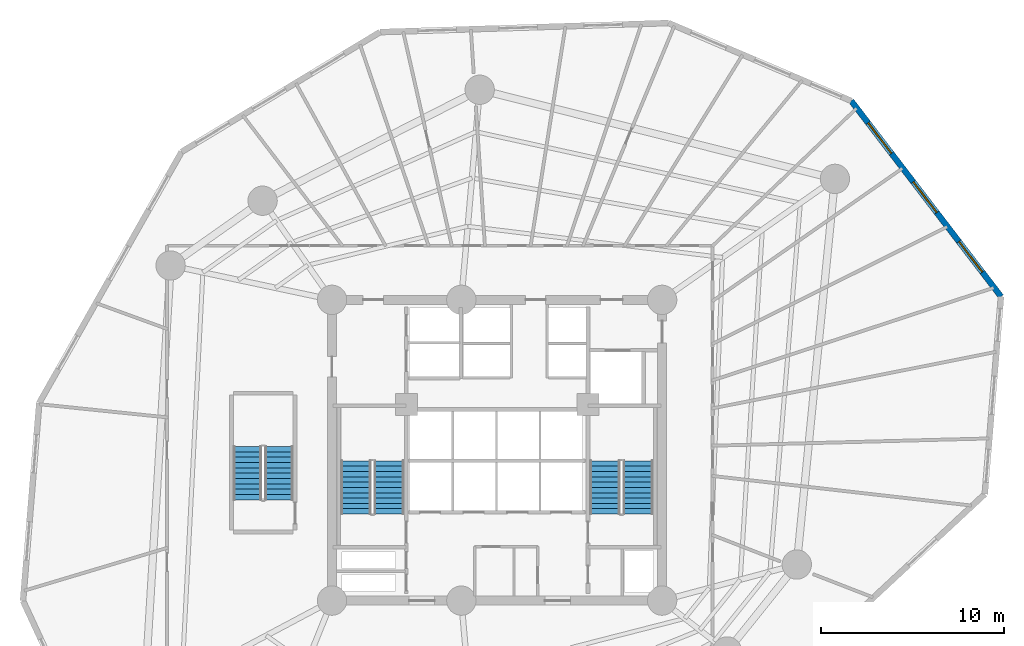
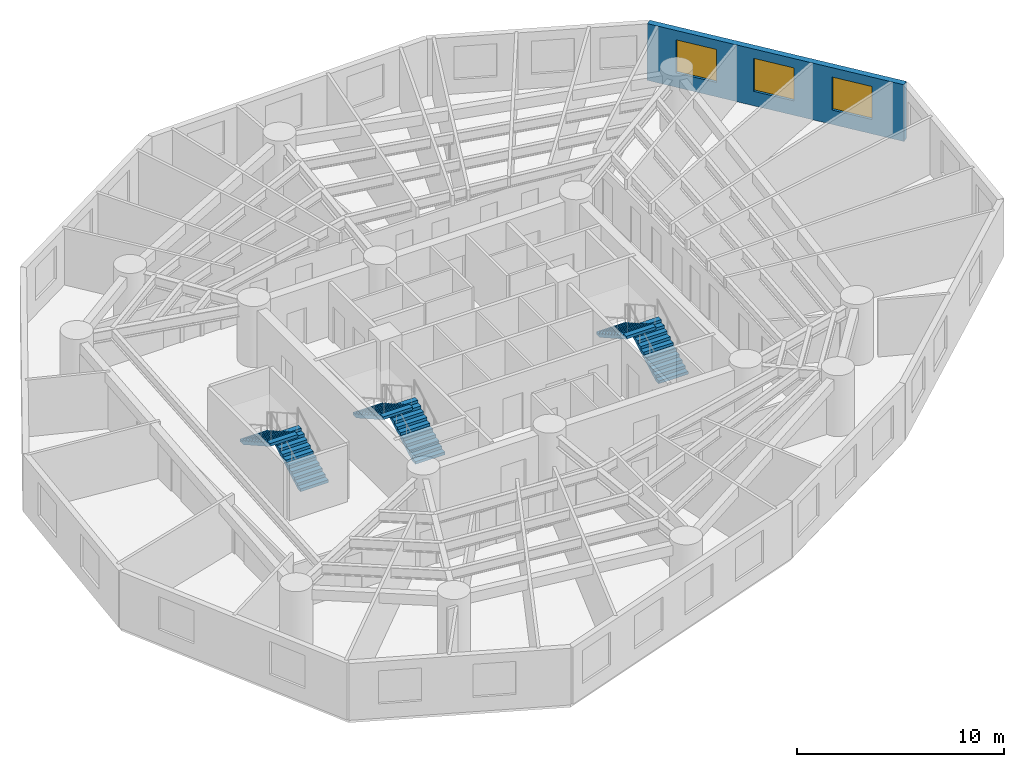
# One storey, part 7 of 8: 6 stair flights, 3 windows, 1 wall, 3 openings, 3 elements without a shape of their own.
"""IFC4 building model written with IfcOpenShell, lengths in metres."""

from ifc_helpers import new_model, si_unit, direction, frame, frame_2d, origin, origin_with_axes, place, context, subcontext, project, spatial, polyline, rectangle, outline, extrude, source, transform, mapped, material, layer, layer_set, type_object, element, fill, aggregate, save


model = new_model("IFC4")

# Units and contexts
model_context = context("Model", 3, precision=1e-05, world=origin(), true_north=direction((0.0, 1.0)))
body_context = subcontext(model_context, "Body", "Model", "MODEL_VIEW")
ifc_project = project(units=[si_unit("LENGTHUNIT", "METRE"), si_unit("AREAUNIT", "SQUARE_METRE"), si_unit("VOLUMEUNIT", "CUBIC_METRE"), si_unit("PLANEANGLEUNIT", "RADIAN"), si_unit("MASSUNIT", "GRAM", prefix="KILO")], contexts=[model_context])

# Site, building, storey
site_placement = place(None, origin())
site = spatial("IfcSite", under=ifc_project, at=site_placement, CompositionType="ELEMENT")
building_placement = place(site_placement, origin())
building = spatial("IfcBuilding", under=site, at=building_placement, Name="Karkom Vertical University and Central Library", CompositionType="ELEMENT")
storey_placement = place(building_placement, frame((0.0, 0.0, 33.699951171875)))
storey = spatial("IfcBuildingStorey", under=building, at=storey_placement, Name="L08", CompositionType="ELEMENT", Elevation=33.699951171875)

# Wall, openings, windows
ifc_material_1 = material(Name="Brick-faced precast concrete C45/55", Category="masonry")
ifc_layer = layer(ifc_material_1, 0.320068359375)
ifc_layer_set = layer_set([ifc_layer], Name="Brick-faced precast concrete C45/55")
wall_type = type_object("IfcWallType", Name="ENV-WL-BRK-320", PredefinedType="SOLIDWALL", material=ifc_layer_set)
wall_placement = place(storey_placement, frame((55.97998046875, 34.878662109375, 0.0), z_axis=(0.0, 0.0, 1.0), x_axis=(-0.607853082848, 0.794049513363, 0.0)))
wall = element("IfcWall", 1, at=wall_placement, inside=storey, type_object=wall_type, Name="Level 08 Brick-Faced Precast Facade Wall 10", PredefinedType="SOLIDWALL", context=body_context, shape_type="SweptSolid", body=[
    extrude(rectangle(XDim=13.445068359375, YDim=0.320068359375, at=frame_2d((6.72265625, 0.0))), origin(), (0.0, 0.0, 1.0), 3.35009765625),
])
opening_1_placement = place(wall_placement, frame((1.6787109375, 0.0, 0.85009765625)))
opening_1 = element("IfcOpeningElement", 2, at=opening_1_placement, cuts=wall, Name="Opening WN-03", PredefinedType="OPENING", context=body_context, shape_type="SweptSolid", body=[
    extrude(rectangle(XDim=2.10009765625, YDim=1.949951171875, at=frame_2d((1.050048828125, 0.97509765625))), frame((0.0, 0.169921875, 0.0), z_axis=(0.0, -1.0, 0.0), x_axis=(1.0, 0.0, 0.0)), (0.0, 0.0, 1.0), 0.340087890625),
])
opening_2_placement = place(wall_placement, frame((5.77197265625, 0.0, 0.85009765625)))
opening_2 = element("IfcOpeningElement", 3, at=opening_2_placement, cuts=wall, Name="Opening WN-03", PredefinedType="OPENING", context=body_context, shape_type="SweptSolid", body=[
    extrude(rectangle(XDim=2.10009765625, YDim=1.949951171875, at=frame_2d((1.050048828125, 0.97509765625))), frame((0.0, 0.169921875, 0.0), z_axis=(0.0, -1.0, 0.0), x_axis=(1.0, 0.0, 0.0)), (0.0, 0.0, 1.0), 0.340087890625),
])
opening_3_placement = place(wall_placement, frame((9.82958984375, 0.0, 0.85009765625)))
opening_3 = element("IfcOpeningElement", 4, at=opening_3_placement, cuts=wall, Name="Opening WN-03", PredefinedType="OPENING", context=body_context, shape_type="SweptSolid", body=[
    extrude(rectangle(XDim=2.10009765625, YDim=1.949951171875, at=frame_2d((1.050048828125, 0.97509765625))), frame((0.0, 0.169921875, 0.0), z_axis=(0.0, -1.0, 0.0), x_axis=(1.0, 0.0, 0.0)), (0.0, 0.0, 1.0), 0.340087890625),
])
ifc_material_2 = material(Name="Aluminium thermal-break frame with solar-control IGU", Category="aluminium")
window_type = type_object("IfcWindowType", Name="ENV-WIN-WN-03", PartitioningType="SINGLE_PANEL", PredefinedType="WINDOW", material=ifc_material_2)
shared_shape = source(origin_with_axes(), body_context, "Body", "SweptSolid", [
    extrude(rectangle(XDim=2.10009765625, YDim=1.949951171875, at=frame_2d((1.050048828125, 0.97509765625))), frame((0.0, 0.030029296875, 0.0), z_axis=(0.0, -1.0, 0.0), x_axis=(1.0, 0.0, 0.0)), (0.0, 0.0, 1.0), 0.06005859375),
])
window_1_placement = place(opening_1_placement, origin())
window_1 = element("IfcWindow", 5, at=window_1_placement, inside=storey, type_object=window_type, Name="Level 08 Punched Window 10.1", OverallHeight=1.949951171875, OverallWidth=2.10009765625, PartitioningType="SINGLE_PANEL", PredefinedType="WINDOW", context=body_context, shape_type="MappedRepresentation", body=[
    mapped(shared_shape, transform((0.0, 0.0, 0.0), scale=1.0)),
])
fill(opening_1, window_1)
window_2_placement = place(opening_2_placement, origin())
window_2 = element("IfcWindow", 6, at=window_2_placement, inside=storey, type_object=window_type, Name="Level 08 Punched Window 10.2", OverallHeight=1.949951171875, OverallWidth=2.10009765625, PartitioningType="SINGLE_PANEL", PredefinedType="WINDOW", context=body_context, shape_type="MappedRepresentation", body=[
    mapped(shared_shape, transform((0.0, 0.0, 0.0), scale=1.0)),
])
fill(opening_2, window_2)
window_3_placement = place(opening_3_placement, origin())
window_3 = element("IfcWindow", 7, at=window_3_placement, inside=storey, type_object=window_type, Name="Level 08 Punched Window 10.3", OverallHeight=1.949951171875, OverallWidth=2.10009765625, PartitioningType="SINGLE_PANEL", PredefinedType="WINDOW", context=body_context, shape_type="MappedRepresentation", body=[
    mapped(shared_shape, transform((0.0, 0.0, 0.0), scale=1.0)),
])
fill(opening_3, window_3)

# Stair, stair flights
ifc_material_3 = material(Name="Concrete C45/55", Category="concrete")
stair_type_1 = type_object("IfcStairType", Name="INT-STR-ST-MAIN", PredefinedType="HALF_TURN_STAIR", material=ifc_material_3)
stair_1_placement = place(storey_placement, origin())
stair_1 = element("IfcStair", 8, at=stair_1_placement, inside=storey, type_object=stair_type_1, Name="Level 08 Tower Protected Exit Stair ST-1", PredefinedType="HALF_TURN_STAIR")
stair_flight_type_1 = type_object("IfcStairFlightType", Name="INT-SFL-ST-MAIN", PredefinedType="STRAIGHT", material=ifc_material_3)
stair_flight_1_placement = place(storey_placement, frame((22.614990234375, 23.02001953125, 0.0), z_axis=(0.0, 0.0, 1.0), x_axis=(0.0, 1.0, 0.0)))
stair_flight_1 = element("IfcStairFlight", 9, at=stair_flight_1_placement, type_object=stair_flight_type_1, Name="ST-1 flight 1", NumberOfRisers=11, NumberOfTreads=10, PredefinedType="STRAIGHT", RiserHeight=0.163636364, TreadLength=0.29, context=body_context, shape_type="SweptSolid", body=[
    extrude(outline(polyline([(0.0, 0.0), (0.0, 0.16357421875), (0.2900390625, 0.16357421875), (0.2900390625, 0.327392578125), (0.580078125, 0.327392578125), (0.580078125, 0.490966796875), (0.8701171875, 0.490966796875), (0.8701171875, 0.654541015625), (1.159912109375, 0.654541015625), (1.159912109375, 0.818115234375), (1.449951171875, 0.818115234375), (1.449951171875, 0.98193359375), (1.739990234375, 0.98193359375), (1.739990234375, 1.1455078125), (2.030029296875, 1.1455078125), (2.030029296875, 1.30908203125), (2.320068359375, 1.30908203125), (2.320068359375, 1.47265625), (2.610107421875, 1.47265625), (2.610107421875, 1.636474609375), (2.89990234375, 1.636474609375), (2.89990234375, 1.800048828125), (2.89990234375, 1.46435546875), (0.304931640625, 0.0), (0.0, 0.0)])), frame((0.0, 0.824951171875, 0.0), z_axis=(0.0, -1.0, 0.0), x_axis=(1.0, 0.0, 0.0)), (0.0, 0.0, 1.0), 1.64990234375),
])
stair_flight_2_placement = place(storey_placement, frame((20.804931640625, 25.919921875, 1.800048828125), z_axis=(0.0, 0.0, 1.0), x_axis=(0.0, -1.0, 0.0)))
stair_flight_2 = element("IfcStairFlight", 10, at=stair_flight_2_placement, type_object=stair_flight_type_1, Name="ST-1 flight 2", NumberOfRisers=11, NumberOfTreads=10, PredefinedType="STRAIGHT", RiserHeight=0.163636364, TreadLength=0.29, context=body_context, shape_type="SweptSolid", body=[
    extrude(outline(polyline([(0.0, 0.0), (0.0, 0.16357421875), (0.2900390625, 0.16357421875), (0.2900390625, 0.327392578125), (0.580078125, 0.327392578125), (0.580078125, 0.490966796875), (0.8701171875, 0.490966796875), (0.8701171875, 0.654541015625), (1.159912109375, 0.654541015625), (1.159912109375, 0.818115234375), (1.449951171875, 0.818115234375), (1.449951171875, 0.98193359375), (1.739990234375, 0.98193359375), (1.739990234375, 1.1455078125), (2.030029296875, 1.1455078125), (2.030029296875, 1.30908203125), (2.320068359375, 1.30908203125), (2.320068359375, 1.47265625), (2.610107421875, 1.47265625), (2.610107421875, 1.636474609375), (2.89990234375, 1.636474609375), (2.89990234375, 1.800048828125), (2.89990234375, 1.46435546875), (0.304931640625, 0.0), (0.0, 0.0)])), frame((0.0, 0.824951171875, 0.0), z_axis=(0.0, -1.0, 0.0), x_axis=(1.0, 0.0, 0.0)), (0.0, 0.0, 1.0), 1.64990234375),
])
aggregate(stair_1, [stair_flight_1, stair_flight_2])

stair_2_placement = place(storey_placement, origin())
stair_2 = element("IfcStair", 11, at=stair_2_placement, inside=storey, type_object=stair_type_1, Name="Level 08 Tower Protected Exit Stair ST-2", PredefinedType="HALF_TURN_STAIR")
stair_flight_3_placement = place(storey_placement, frame((36.195068359375, 23.02001953125, 0.0), z_axis=(0.0, 0.0, 1.0), x_axis=(0.0, 1.0, 0.0)))
stair_flight_3 = element("IfcStairFlight", 12, at=stair_flight_3_placement, type_object=stair_flight_type_1, Name="ST-2 flight 1", NumberOfRisers=11, NumberOfTreads=10, PredefinedType="STRAIGHT", RiserHeight=0.163636364, TreadLength=0.29, context=body_context, shape_type="SweptSolid", body=[
    extrude(outline(polyline([(0.0, 0.0), (0.0, 0.16357421875), (0.2900390625, 0.16357421875), (0.2900390625, 0.327392578125), (0.580078125, 0.327392578125), (0.580078125, 0.490966796875), (0.8701171875, 0.490966796875), (0.8701171875, 0.654541015625), (1.159912109375, 0.654541015625), (1.159912109375, 0.818115234375), (1.449951171875, 0.818115234375), (1.449951171875, 0.98193359375), (1.739990234375, 0.98193359375), (1.739990234375, 1.1455078125), (2.030029296875, 1.1455078125), (2.030029296875, 1.30908203125), (2.320068359375, 1.30908203125), (2.320068359375, 1.47265625), (2.610107421875, 1.47265625), (2.610107421875, 1.636474609375), (2.89990234375, 1.636474609375), (2.89990234375, 1.800048828125), (2.89990234375, 1.46435546875), (0.304931640625, 0.0), (0.0, 0.0)])), frame((0.0, 0.824951171875, 0.0), z_axis=(0.0, -1.0, 0.0), x_axis=(1.0, 0.0, 0.0)), (0.0, 0.0, 1.0), 1.64990234375),
])
stair_flight_4_placement = place(storey_placement, frame((34.385009765625, 25.919921875, 1.800048828125), z_axis=(0.0, 0.0, 1.0), x_axis=(0.0, -1.0, 0.0)))
stair_flight_4 = element("IfcStairFlight", 13, at=stair_flight_4_placement, type_object=stair_flight_type_1, Name="ST-2 flight 2", NumberOfRisers=11, NumberOfTreads=10, PredefinedType="STRAIGHT", RiserHeight=0.163636364, TreadLength=0.29, context=body_context, shape_type="SweptSolid", body=[
    extrude(outline(polyline([(0.0, 0.0), (0.0, 0.16357421875), (0.2900390625, 0.16357421875), (0.2900390625, 0.327392578125), (0.580078125, 0.327392578125), (0.580078125, 0.490966796875), (0.8701171875, 0.490966796875), (0.8701171875, 0.654541015625), (1.159912109375, 0.654541015625), (1.159912109375, 0.818115234375), (1.449951171875, 0.818115234375), (1.449951171875, 0.98193359375), (1.739990234375, 0.98193359375), (1.739990234375, 1.1455078125), (2.030029296875, 1.1455078125), (2.030029296875, 1.30908203125), (2.320068359375, 1.30908203125), (2.320068359375, 1.47265625), (2.610107421875, 1.47265625), (2.610107421875, 1.636474609375), (2.89990234375, 1.636474609375), (2.89990234375, 1.800048828125), (2.89990234375, 1.46435546875), (0.304931640625, 0.0), (0.0, 0.0)])), frame((0.0, 0.824951171875, 0.0), z_axis=(0.0, -1.0, 0.0), x_axis=(1.0, 0.0, 0.0)), (0.0, 0.0, 1.0), 1.64990234375),
])
aggregate(stair_2, [stair_flight_3, stair_flight_4])

stair_type_2 = type_object("IfcStairType", Name="INT-STR-ST-SEC", PredefinedType="HALF_TURN_STAIR", material=ifc_material_3)
stair_3_placement = place(storey_placement, origin())
stair_3 = element("IfcStair", 14, at=stair_3_placement, inside=storey, type_object=stair_type_2, Name="Level 08 Academic Zone Protected Exit Stair ST-3", PredefinedType="HALF_TURN_STAIR")
stair_flight_type_2 = type_object("IfcStairFlightType", Name="INT-SFL-ST-SEC", PredefinedType="STRAIGHT", material=ifc_material_3)
stair_flight_5_placement = place(storey_placement, frame((16.60498046875, 23.800048828125, 0.0), z_axis=(0.0, 0.0, 1.0), x_axis=(0.0, 1.0, 0.0)))
stair_flight_5 = element("IfcStairFlight", 15, at=stair_flight_5_placement, type_object=stair_flight_type_2, Name="ST-3 flight 1", NumberOfRisers=11, NumberOfTreads=10, PredefinedType="STRAIGHT", RiserHeight=0.163636364, TreadLength=0.29, context=body_context, shape_type="SweptSolid", body=[
    extrude(outline(polyline([(0.0, 0.0), (0.0, 0.16357421875), (0.2900390625, 0.16357421875), (0.2900390625, 0.327392578125), (0.580078125, 0.327392578125), (0.580078125, 0.490966796875), (0.8701171875, 0.490966796875), (0.8701171875, 0.654541015625), (1.159912109375, 0.654541015625), (1.159912109375, 0.818115234375), (1.449951171875, 0.818115234375), (1.449951171875, 0.98193359375), (1.739990234375, 0.98193359375), (1.739990234375, 1.1455078125), (2.030029296875, 1.1455078125), (2.030029296875, 1.30908203125), (2.320068359375, 1.30908203125), (2.320068359375, 1.47265625), (2.610107421875, 1.47265625), (2.610107421875, 1.636474609375), (2.89990234375, 1.636474609375), (2.89990234375, 1.800048828125), (2.89990234375, 1.46435546875), (0.304931640625, 0.0), (0.0, 0.0)])), frame((0.0, 0.77490234375, 0.0), z_axis=(0.0, -1.0, 0.0), x_axis=(1.0, 0.0, 0.0)), (0.0, 0.0, 1.0), 1.550048828125),
])
stair_flight_6_placement = place(storey_placement, frame((14.89501953125, 26.699951171875, 1.800048828125), z_axis=(0.0, 0.0, 1.0), x_axis=(0.0, -1.0, 0.0)))
stair_flight_6 = element("IfcStairFlight", 16, at=stair_flight_6_placement, type_object=stair_flight_type_2, Name="ST-3 flight 2", NumberOfRisers=11, NumberOfTreads=10, PredefinedType="STRAIGHT", RiserHeight=0.163636364, TreadLength=0.29, context=body_context, shape_type="SweptSolid", body=[
    extrude(outline(polyline([(0.0, 0.0), (0.0, 0.16357421875), (0.2900390625, 0.16357421875), (0.2900390625, 0.327392578125), (0.580078125, 0.327392578125), (0.580078125, 0.490966796875), (0.8701171875, 0.490966796875), (0.8701171875, 0.654541015625), (1.159912109375, 0.654541015625), (1.159912109375, 0.818115234375), (1.449951171875, 0.818115234375), (1.449951171875, 0.98193359375), (1.739990234375, 0.98193359375), (1.739990234375, 1.1455078125), (2.030029296875, 1.1455078125), (2.030029296875, 1.30908203125), (2.320068359375, 1.30908203125), (2.320068359375, 1.47265625), (2.610107421875, 1.47265625), (2.610107421875, 1.636474609375), (2.89990234375, 1.636474609375), (2.89990234375, 1.800048828125), (2.89990234375, 1.46435546875), (0.304931640625, 0.0), (0.0, 0.0)])), frame((0.0, 0.77490234375, 0.0), z_axis=(0.0, -1.0, 0.0), x_axis=(1.0, 0.0, 0.0)), (0.0, 0.0, 1.0), 1.550048828125),
])
aggregate(stair_3, [stair_flight_5, stair_flight_6])

save(model, "model.ifc")
